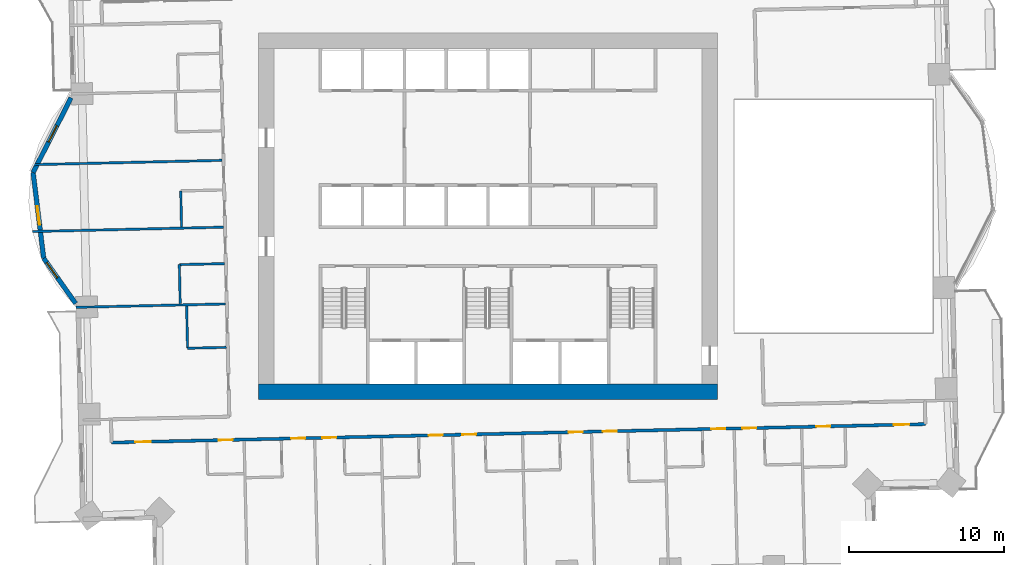
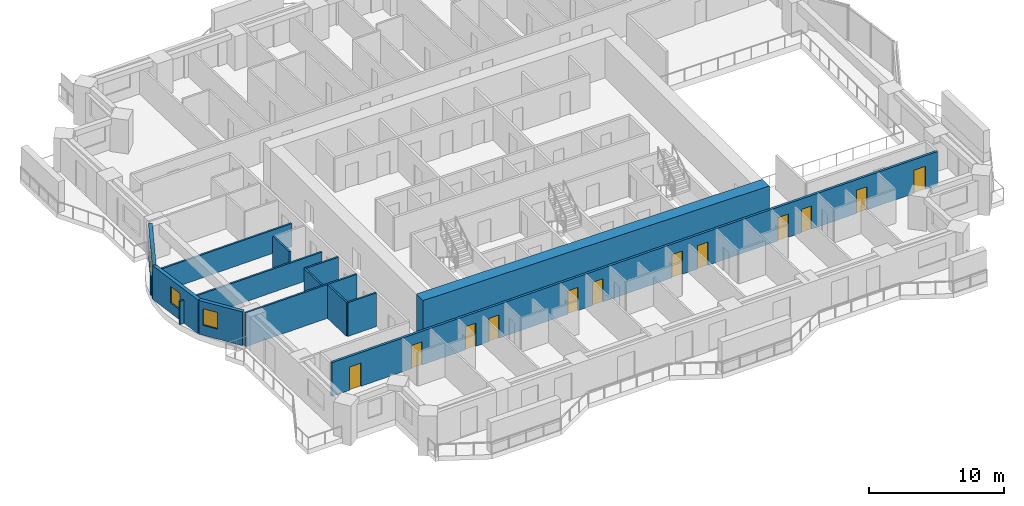
# One storey, part 7 of 17: 13 walls, 12 doors, 3 windows, 15 openings.
"""IFC4 building model written with IfcOpenShell, lengths in metres."""

import ifcopenshell
import ifcopenshell.guid

model = None  # the IFC model being written
_history = None  # IfcOwnerHistory: only IFC2X3 demands one
_inside = {}  # id of a spatial element -> (the spatial element, [elements in it])
_under = {}  # id of a project, library or spatial element -> (it, [spatial elements below it])
_declared = {}  # id of a project -> (the project, [libraries it declares])
_typed = {}  # id of a type object -> (the type object, [elements of that type])
_made_of = {}  # id of a material, layer set ... -> (it, [elements and type objects made of it])


def new_model(schema):
    """Start an empty IFC model of exactly this schema.

    Asked for "IFC4X3", IfcOpenShell would pick the latest addendum, in which some entities
    have other attributes; the version numbers below select the first issue.
    IFC2X3 requires an IfcOwnerHistory on every rooted entity: one is made here for all.
    """
    global model, _history
    if schema == "IFC4X3":
        model = ifcopenshell.file(schema_version=(4, 3, 0, 0))
    else:
        model = ifcopenshell.file(schema=schema)
    _inside.clear()
    _under.clear()
    _declared.clear()
    _typed.clear()
    _made_of.clear()
    _history = None
    if model.schema == "IFC2X3":
        org = make("IfcOrganization", Name="unknown")
        user = make(
            "IfcPersonAndOrganization",
            ThePerson=make("IfcPerson", FamilyName="unknown"),
            TheOrganization=org,
        )
        app = make(
            "IfcApplication",
            ApplicationDeveloper=org,
            Version="unknown",
            ApplicationFullName="unknown",
            ApplicationIdentifier="unknown",
        )
        _history = make(
            "IfcOwnerHistory",
            OwningUser=user,
            OwningApplication=app,
            ChangeAction="ADDED",
            CreationDate=0,
        )
    return model


def make(cls, **values):
    """One entity of the class cls with the attributes given. An attribute that is None is left unset."""
    return model.create_entity(
        cls, **{name: value for name, value in values.items() if value is not None}
    )


def rooted(cls, **values):
    """An entity with a GlobalId (a new one), such as an element, a storey or a relation."""
    return make(cls, GlobalId=ifcopenshell.guid.new(), OwnerHistory=_history, **values)


def si_unit(unit_type, name, prefix=None):
    """IfcSIUnit, for example si_unit("LENGTHUNIT", "METRE", prefix="MILLI")."""
    return make("IfcSIUnit", UnitType=unit_type, Prefix=prefix, Name=name)


def assignment(units):
    """IfcUnitAssignment: the units of a project."""
    return None if units is None else make("IfcUnitAssignment", Units=units)


def point(xyz):
    """IfcCartesianPoint."""
    return None if xyz is None else make("IfcCartesianPoint", Coordinates=xyz)


def direction(xyz):
    """IfcDirection."""
    return None if xyz is None else make("IfcDirection", DirectionRatios=xyz)


def frame(location, z_axis=None, x_axis=None):
    """IfcAxis2Placement3D, a coordinate frame: its origin and axes. An axis left out is left unset."""
    return make(
        "IfcAxis2Placement3D",
        Location=point(location),
        Axis=direction(z_axis),
        RefDirection=direction(x_axis),
    )


def frame_2d(location, x_axis=None):
    """IfcAxis2Placement2D, a coordinate frame in the plane: its origin and x axis."""
    return make(
        "IfcAxis2Placement2D", Location=point(location), RefDirection=direction(x_axis)
    )


def origin():
    """The frame at (0, 0, 0) with its axes left unset."""
    return frame((0.0, 0.0, 0.0))


def place(relative_to, where):
    """IfcLocalPlacement: puts the frame where relative to a parent placement (None: the world)."""
    return make(
        "IfcLocalPlacement", PlacementRelTo=relative_to, RelativePlacement=where
    )


def context(
    kind, dimensions, precision=None, world=None, true_north=None, identifier=None
):
    """IfcGeometricRepresentationContext, for example the 3D "Model" context."""
    return make(
        "IfcGeometricRepresentationContext",
        ContextIdentifier=identifier,
        ContextType=kind,
        CoordinateSpaceDimension=dimensions,
        Precision=precision,
        WorldCoordinateSystem=world,
        TrueNorth=true_north,
    )


def subcontext(parent, identifier, kind, view, scale=None):
    """IfcGeometricRepresentationSubContext, for example "Body" below "Model"."""
    return make(
        "IfcGeometricRepresentationSubContext",
        ContextIdentifier=identifier,
        ContextType=kind,
        ParentContext=parent,
        TargetScale=scale,
        TargetView=view,
    )


def project(units=None, contexts=None):
    """IfcProject with its units and contexts."""
    return rooted(
        "IfcProject",
        Name="project",
        RepresentationContexts=contexts,
        UnitsInContext=assignment(units),
    )


def spatial(cls, under=None, at=None, **own):
    """A site, building, storey or space (cls), placed at a placement, below another one or the project."""
    s = rooted(cls, ObjectPlacement=at, **own)
    if under is not None:
        _under.setdefault(under.id(), (under, []))[1].append(s)
    return s


def profile(cls, at=None, kind="AREA", **sizes):
    """A parametric profile (cls). Its sizes go by their IFC names, for example OverallWidth=200.0."""
    return make(cls, ProfileType=kind, Position=at, **sizes)


def rectangle(**sizes):
    """IfcRectangleProfileDef."""
    return profile("IfcRectangleProfileDef", **sizes)


def extrude(swept, where, along, depth):
    """IfcExtrudedAreaSolid: the profile swept, set in the frame where, extruded along a direction by depth."""
    return make(
        "IfcExtrudedAreaSolid",
        SweptArea=swept,
        Position=where,
        ExtrudedDirection=direction(along),
        Depth=depth,
    )


def shape(context_of_items, identifier, shape_type, items):
    """IfcShapeRepresentation: the items that make up one representation, for example the "Body"."""
    return make(
        "IfcShapeRepresentation",
        ContextOfItems=context_of_items,
        RepresentationIdentifier=identifier,
        RepresentationType=shape_type,
        Items=items,
    )


def material(Name=None, Category=None):
    """IfcMaterial."""
    return make("IfcMaterial", Name=Name, Category=Category)


def layer(
    of_material, thickness, ventilated=None, Name=None, Category=None, Priority=None
):
    """IfcMaterialLayer: one layer of a wall or slab, of a material (None: an air gap)."""
    return make(
        "IfcMaterialLayer",
        Material=of_material,
        LayerThickness=thickness,
        IsVentilated=ventilated,
        Name=Name,
        Category=Category,
        Priority=Priority,
    )


def layer_set(layers, Name=None):
    """IfcMaterialLayerSet."""
    return make("IfcMaterialLayerSet", MaterialLayers=layers, LayerSetName=Name)


def made_of(thing, what):
    """Note that an element or type object is made of a material, layer set ...; save() writes the relation."""
    if what is not None:
        _made_of.setdefault(what.id(), (what, []))[1].append(thing)
    return thing


def type_object(cls, material=None, **own):
    """A type object (cls), such as IfcWallType, which elements share."""
    return made_of(rooted(cls, **own), material)


def element(
    cls,
    number,
    at=None,
    inside=None,
    cuts=None,
    type_object=None,
    material=None,
    context=None,
    identifier="Body",
    shape_type=None,
    held_by="IfcProductDefinitionShape",
    body=None,
    shapes=None,
    **own,
):
    """One element of the class cls, such as IfcWall. Its Tag is "e" and its number.

    at: its placement. inside: the storey or other place that contains it. cuts: it is an
    opening in that element (IfcRelVoidsElement). A single representation is given by context,
    identifier, shape_type and body (its items); several are given by shapes. held_by: the class
    of the entity that holds the representations. save() writes the other relations.
    """
    e = rooted(cls, Tag="e%d" % number, ObjectPlacement=at, **own)
    if body is not None:
        shapes = [shape(context, identifier, shape_type, body)]
    if shapes is not None:
        e.Representation = make(held_by, Representations=shapes)
    if inside is not None:
        _inside.setdefault(inside.id(), (inside, []))[1].append(e)
    if cuts is not None:
        rooted(
            "IfcRelVoidsElement", RelatingBuildingElement=cuts, RelatedOpeningElement=e
        )
    if type_object is not None:
        _typed.setdefault(type_object.id(), (type_object, []))[1].append(e)
    return made_of(e, material)


def fill(opening, filler):
    """IfcRelFillsElement: the door or window that sits in an opening."""
    return rooted(
        "IfcRelFillsElement",
        RelatingOpeningElement=opening,
        RelatedBuildingElement=filler,
    )


def aggregate(whole, parts):
    """IfcRelAggregates: a whole, such as a stair, and the parts it consists of."""
    return rooted("IfcRelAggregates", RelatingObject=whole, RelatedObjects=parts)


def save(model, path):
    """Write the relations noted so far, then the file.

    IfcRelAggregates (storeys below a building ...), IfcRelContainedInSpatialStructure (elements
    in a storey), IfcRelDefinesByType, IfcRelAssociatesMaterial and IfcRelDeclares: one each for
    every whole, place, type object, material and project.
    """
    for whole, parts in _under.values():
        aggregate(whole, parts)
    for where, things in _inside.values():
        rooted(
            "IfcRelContainedInSpatialStructure",
            RelatedElements=things,
            RelatingStructure=where,
        )
    for kind, things in _typed.values():
        rooted("IfcRelDefinesByType", RelatedObjects=things, RelatingType=kind)
    for what, things in _made_of.values():
        rooted("IfcRelAssociatesMaterial", RelatedObjects=things, RelatingMaterial=what)
    for by, libraries in _declared.values():
        rooted("IfcRelDeclares", RelatingContext=by, RelatedDefinitions=libraries)
    model.write(path)


model = new_model("IFC4")

# Units and contexts
model_context = context("Model", 3, precision=1e-05, world=origin(), true_north=direction((0.0, 1.0)))
body_context = subcontext(model_context, "Body", "Model", "MODEL_VIEW")
ifc_project = project(units=[si_unit("LENGTHUNIT", "METRE"), si_unit("AREAUNIT", "SQUARE_METRE"), si_unit("VOLUMEUNIT", "CUBIC_METRE"), si_unit("PLANEANGLEUNIT", "RADIAN"), si_unit("MASSUNIT", "GRAM", prefix="KILO")], contexts=[model_context])

# Site, building, storey
site_placement = place(None, origin())
site = spatial("IfcSite", under=ifc_project, at=site_placement, CompositionType="ELEMENT")
building_placement = place(site_placement, origin())
building = spatial("IfcBuilding", under=site, at=building_placement, Name="Mangrove Gate Tower", CompositionType="ELEMENT")
storey_placement = place(building_placement, frame((0.0, 0.0, 93.699951171875)))
storey = spatial("IfcBuildingStorey", under=building, at=storey_placement, Name="L23", CompositionType="ELEMENT", Elevation=93.699951171875)

# Wall
ifc_material_1 = material(Name="Concrete C70/85", Category="concrete")
ifc_layer_1 = layer(ifc_material_1, 1.0)
ifc_layer_set_1 = layer_set([ifc_layer_1], Name="Core wall 1000 C70/85")
wall_type_1 = type_object("IfcWallType", Name="Core wall 1000 C70/85", PredefinedType="SHEAR", material=ifc_layer_set_1)
wall_1_placement = place(storey_placement, frame((-14.800048828125, -11.300048828125, 0.0), z_axis=(0.0, 0.0, 1.0), x_axis=(1.0, 0.0, 0.0)))
element("IfcWall", 1, at=wall_1_placement, inside=storey, type_object=wall_type_1, Name="WALL-L23-CORE-1", PredefinedType="SHEAR", context=body_context, shape_type="SweptSolid", body=[
    extrude(rectangle(XDim=29.60009765625, YDim=1.0, at=frame_2d((14.800048828125, 0.0))), origin(), (0.0, 0.0, 1.0), 3.60009765625),
])

# Wall, openings, doors
ifc_material_2 = material(Name="Gypsum board on steel stud, EI 60", Category="steel")
ifc_layer_2 = layer(ifc_material_2, 0.199951171875)
ifc_layer_set_2 = layer_set([ifc_layer_2], Name="Corridor wall EI 60")
wall_type_2 = type_object("IfcWallType", Name="Corridor wall EI 60", PredefinedType="PARTITIONING", material=ifc_layer_set_2)
wall_2_placement = place(storey_placement, frame((-24.27392578125, -14.591064453125, 0.0), z_axis=(0.0, 0.0, 1.0), x_axis=(0.999742718753, 0.022682510909, 0.0)))
wall_2 = element("IfcWall", 2, at=wall_2_placement, inside=storey, type_object=wall_type_2, Name="WALL-L23-030", PredefinedType="PARTITIONING", context=body_context, shape_type="SweptSolid", body=[
    extrude(rectangle(XDim=52.471435546875, YDim=0.199951171875, at=frame_2d((26.23583984375, 0.0))), origin(), (0.0, 0.0, 1.0), 3.050048828125),
])
opening_1_placement = place(wall_2_placement, frame((1.52490234375, 0.0, 0.0)))
opening_1 = element("IfcOpeningElement", 3, at=opening_1_placement, cuts=wall_2, Name="Opening AD", PredefinedType="OPENING", context=body_context, shape_type="SweptSolid", body=[
    extrude(rectangle(XDim=1.0, YDim=2.10009765625, at=frame_2d((0.5, 1.050048828125))), frame((0.0, 0.10986328125, 0.0), z_axis=(0.0, -1.0, 0.0), x_axis=(1.0, 0.0, 0.0)), (0.0, 0.0, 1.0), 0.219970703125),
])
opening_2_placement = place(wall_2_placement, frame((6.89990234375, 0.0, 0.0)))
opening_2 = element("IfcOpeningElement", 4, at=opening_2_placement, cuts=wall_2, Name="Opening SD", PredefinedType="OPENING", context=body_context, shape_type="SweptSolid", body=[
    extrude(rectangle(XDim=0.89990234375, YDim=2.10009765625, at=frame_2d((0.449951171875, 1.050048828125))), frame((0.0, 0.10986328125, 0.0), z_axis=(0.0, -1.0, 0.0), x_axis=(1.0, 0.0, 0.0)), (0.0, 0.0, 1.0), 0.219970703125),
])
opening_3_placement = place(wall_2_placement, frame((11.574951171875, 0.0, 0.0)))
opening_3 = element("IfcOpeningElement", 5, at=opening_3_placement, cuts=wall_2, Name="Opening BD", PredefinedType="OPENING", context=body_context, shape_type="SweptSolid", body=[
    extrude(rectangle(XDim=0.89990234375, YDim=2.10009765625, at=frame_2d((0.449951171875, 1.050048828125))), frame((0.0, 0.10986328125, 0.0), z_axis=(0.0, -1.0, 0.0), x_axis=(1.0, 0.0, 0.0)), (0.0, 0.0, 1.0), 0.219970703125),
])
opening_4_placement = place(wall_2_placement, frame((13.60009765625, 0.0, 0.0)))
opening_4 = element("IfcOpeningElement", 6, at=opening_4_placement, cuts=wall_2, Name="Opening BD", PredefinedType="OPENING", context=body_context, shape_type="SweptSolid", body=[
    extrude(rectangle(XDim=0.89990234375, YDim=2.10009765625, at=frame_2d((0.449951171875, 1.050048828125))), frame((0.0, 0.10986328125, 0.0), z_axis=(0.0, -1.0, 0.0), x_axis=(1.0, 0.0, 0.0)), (0.0, 0.0, 1.0), 0.219970703125),
])
opening_5_placement = place(wall_2_placement, frame((20.449951171875, 0.0, 0.0)))
opening_5 = element("IfcOpeningElement", 7, at=opening_5_placement, cuts=wall_2, Name="Opening BD", PredefinedType="OPENING", context=body_context, shape_type="SweptSolid", body=[
    extrude(rectangle(XDim=0.89990234375, YDim=2.10009765625, at=frame_2d((0.449951171875, 1.050048828125))), frame((0.0, 0.10986328125, 0.0), z_axis=(0.0, -1.0, 0.0), x_axis=(1.0, 0.0, 0.0)), (0.0, 0.0, 1.0), 0.219970703125),
])
opening_6_placement = place(wall_2_placement, frame((22.60009765625, 0.0, 0.0)))
opening_6 = element("IfcOpeningElement", 8, at=opening_6_placement, cuts=wall_2, Name="Opening BD", PredefinedType="OPENING", context=body_context, shape_type="SweptSolid", body=[
    extrude(rectangle(XDim=0.89990234375, YDim=2.10009765625, at=frame_2d((0.449951171875, 1.050048828125))), frame((0.0, 0.10986328125, 0.0), z_axis=(0.0, -1.0, 0.0), x_axis=(1.0, 0.0, 0.0)), (0.0, 0.0, 1.0), 0.219970703125),
])
opening_7_placement = place(wall_2_placement, frame((29.47509765625, 0.0, 0.0)))
opening_7 = element("IfcOpeningElement", 9, at=opening_7_placement, cuts=wall_2, Name="Opening BD", PredefinedType="OPENING", context=body_context, shape_type="SweptSolid", body=[
    extrude(rectangle(XDim=0.89990234375, YDim=2.10009765625, at=frame_2d((0.449951171875, 1.050048828125))), frame((0.0, 0.10986328125, 0.0), z_axis=(0.0, -1.0, 0.0), x_axis=(1.0, 0.0, 0.0)), (0.0, 0.0, 1.0), 0.219970703125),
])
opening_8_placement = place(wall_2_placement, frame((31.675048828125, 0.0, 0.0)))
opening_8 = element("IfcOpeningElement", 10, at=opening_8_placement, cuts=wall_2, Name="Opening BD", PredefinedType="OPENING", context=body_context, shape_type="SweptSolid", body=[
    extrude(rectangle(XDim=0.89990234375, YDim=2.10009765625, at=frame_2d((0.449951171875, 1.050048828125))), frame((0.0, 0.10986328125, 0.0), z_axis=(0.0, -1.0, 0.0), x_axis=(1.0, 0.0, 0.0)), (0.0, 0.0, 1.0), 0.219970703125),
])
opening_9_placement = place(wall_2_placement, frame((38.675048828125, 0.0, 0.0)))
opening_9 = element("IfcOpeningElement", 11, at=opening_9_placement, cuts=wall_2, Name="Opening BD", PredefinedType="OPENING", context=body_context, shape_type="SweptSolid", body=[
    extrude(rectangle(XDim=0.89990234375, YDim=2.10009765625, at=frame_2d((0.449951171875, 1.050048828125))), frame((0.0, 0.10986328125, 0.0), z_axis=(0.0, -1.0, 0.0), x_axis=(1.0, 0.0, 0.0)), (0.0, 0.0, 1.0), 0.219970703125),
])
opening_10_placement = place(wall_2_placement, frame((40.675048828125, 0.0, 0.0)))
opening_10 = element("IfcOpeningElement", 12, at=opening_10_placement, cuts=wall_2, Name="Opening BD", PredefinedType="OPENING", context=body_context, shape_type="SweptSolid", body=[
    extrude(rectangle(XDim=0.89990234375, YDim=2.10009765625, at=frame_2d((0.449951171875, 1.050048828125))), frame((0.0, 0.10986328125, 0.0), z_axis=(0.0, -1.0, 0.0), x_axis=(1.0, 0.0, 0.0)), (0.0, 0.0, 1.0), 0.219970703125),
])
opening_11_placement = place(wall_2_placement, frame((50.43603515625, 0.0, 0.0)))
opening_11 = element("IfcOpeningElement", 13, at=opening_11_placement, cuts=wall_2, Name="Opening AD", PredefinedType="OPENING", context=body_context, shape_type="SweptSolid", body=[
    extrude(rectangle(XDim=1.0, YDim=2.10009765625, at=frame_2d((0.5, 1.050048828125))), frame((0.0, 0.10986328125, 0.0), z_axis=(0.0, -1.0, 0.0), x_axis=(1.0, 0.0, 0.0)), (0.0, 0.0, 1.0), 0.219970703125),
])
opening_12_placement = place(wall_2_placement, frame((45.449951171875, 0.0, 0.0)))
opening_12 = element("IfcOpeningElement", 14, at=opening_12_placement, cuts=wall_2, Name="Opening SD", PredefinedType="OPENING", context=body_context, shape_type="SweptSolid", body=[
    extrude(rectangle(XDim=0.89990234375, YDim=2.10009765625, at=frame_2d((0.449951171875, 1.050048828125))), frame((0.0, 0.10986328125, 0.0), z_axis=(0.0, -1.0, 0.0), x_axis=(1.0, 0.0, 0.0)), (0.0, 0.0, 1.0), 0.219970703125),
])
ifc_material_3 = material(Name="Timber door leaf", Category="wood")
door_type_1 = type_object("IfcDoorType", Name="Amenity door 1000", OperationType="SINGLE_SWING_LEFT", PredefinedType="DOOR", material=ifc_material_3)
door_1_placement = place(opening_1_placement, origin())
door_1 = element("IfcDoor", 15, at=door_1_placement, inside=storey, type_object=door_type_1, Name="DOOR-L23-LNG-c1a", OperationType="SINGLE_SWING_LEFT", OverallHeight=2.10009765625, OverallWidth=1.0, PredefinedType="DOOR", context=body_context, shape_type="SweptSolid", body=[
    extrude(rectangle(XDim=1.0, YDim=2.10009765625, at=frame_2d((0.5, 1.050048828125))), frame((0.0, 0.02490234375, 0.0), z_axis=(0.0, -1.0, 0.0), x_axis=(1.0, 0.0, 0.0)), (0.0, 0.0, 1.0), 0.050048828125),
])
fill(opening_1, door_1)
door_2_placement = place(opening_11_placement, origin())
door_2 = element("IfcDoor", 16, at=door_2_placement, inside=storey, type_object=door_type_1, Name="DOOR-L23-STU-c3a", OperationType="SINGLE_SWING_RIGHT", OverallHeight=2.10009765625, OverallWidth=1.0, PredefinedType="DOOR", context=body_context, shape_type="SweptSolid", body=[
    extrude(rectangle(XDim=1.0, YDim=2.10009765625, at=frame_2d((0.5, 1.050048828125))), frame((0.0, 0.02490234375, 0.0), z_axis=(0.0, -1.0, 0.0), x_axis=(1.0, 0.0, 0.0)), (0.0, 0.0, 1.0), 0.050048828125),
])
fill(opening_11, door_2)
ifc_material_4 = material(Name="Timber door leaf", Category="wood")
door_type_2 = type_object("IfcDoorType", Name="Bedroom door 900", OperationType="SINGLE_SWING_LEFT", PredefinedType="DOOR", material=ifc_material_4)
door_3_placement = place(opening_3_placement, origin())
door_3 = element("IfcDoor", 17, at=door_3_placement, inside=storey, type_object=door_type_2, Name="DOOR-L23-BED-c101", OperationType="SINGLE_SWING_LEFT", OverallHeight=2.10009765625, OverallWidth=0.89990234375, PredefinedType="DOOR", context=body_context, shape_type="SweptSolid", body=[
    extrude(rectangle(XDim=0.89990234375, YDim=2.10009765625, at=frame_2d((0.449951171875, 1.050048828125))), frame((0.0, 0.02490234375, 0.0), z_axis=(0.0, -1.0, 0.0), x_axis=(1.0, 0.0, 0.0)), (0.0, 0.0, 1.0), 0.050048828125),
])
fill(opening_3, door_3)
door_4_placement = place(opening_4_placement, origin())
door_4 = element("IfcDoor", 18, at=door_4_placement, inside=storey, type_object=door_type_2, Name="DOOR-L23-BED-c102", OperationType="SINGLE_SWING_RIGHT", OverallHeight=2.10009765625, OverallWidth=0.89990234375, PredefinedType="DOOR", context=body_context, shape_type="SweptSolid", body=[
    extrude(rectangle(XDim=0.89990234375, YDim=2.10009765625, at=frame_2d((0.449951171875, 1.050048828125))), frame((0.0, 0.02490234375, 0.0), z_axis=(0.0, -1.0, 0.0), x_axis=(1.0, 0.0, 0.0)), (0.0, 0.0, 1.0), 0.050048828125),
])
fill(opening_4, door_4)
door_5_placement = place(opening_5_placement, origin())
door_5 = element("IfcDoor", 19, at=door_5_placement, inside=storey, type_object=door_type_2, Name="DOOR-L23-BED-c103", OperationType="SINGLE_SWING_LEFT", OverallHeight=2.10009765625, OverallWidth=0.89990234375, PredefinedType="DOOR", context=body_context, shape_type="SweptSolid", body=[
    extrude(rectangle(XDim=0.89990234375, YDim=2.10009765625, at=frame_2d((0.449951171875, 1.050048828125))), frame((0.0, 0.02490234375, 0.0), z_axis=(0.0, -1.0, 0.0), x_axis=(1.0, 0.0, 0.0)), (0.0, 0.0, 1.0), 0.050048828125),
])
fill(opening_5, door_5)
door_6_placement = place(opening_6_placement, origin())
door_6 = element("IfcDoor", 20, at=door_6_placement, inside=storey, type_object=door_type_2, Name="DOOR-L23-BED-c104", OperationType="SINGLE_SWING_RIGHT", OverallHeight=2.10009765625, OverallWidth=0.89990234375, PredefinedType="DOOR", context=body_context, shape_type="SweptSolid", body=[
    extrude(rectangle(XDim=0.89990234375, YDim=2.10009765625, at=frame_2d((0.449951171875, 1.050048828125))), frame((0.0, 0.02490234375, 0.0), z_axis=(0.0, -1.0, 0.0), x_axis=(1.0, 0.0, 0.0)), (0.0, 0.0, 1.0), 0.050048828125),
])
fill(opening_6, door_6)
door_7_placement = place(opening_7_placement, origin())
door_7 = element("IfcDoor", 21, at=door_7_placement, inside=storey, type_object=door_type_2, Name="DOOR-L23-BED-c205", OperationType="SINGLE_SWING_LEFT", OverallHeight=2.10009765625, OverallWidth=0.89990234375, PredefinedType="DOOR", context=body_context, shape_type="SweptSolid", body=[
    extrude(rectangle(XDim=0.89990234375, YDim=2.10009765625, at=frame_2d((0.449951171875, 1.050048828125))), frame((0.0, 0.02490234375, 0.0), z_axis=(0.0, -1.0, 0.0), x_axis=(1.0, 0.0, 0.0)), (0.0, 0.0, 1.0), 0.050048828125),
])
fill(opening_7, door_7)
door_8_placement = place(opening_8_placement, origin())
door_8 = element("IfcDoor", 22, at=door_8_placement, inside=storey, type_object=door_type_2, Name="DOOR-L23-BED-c206", OperationType="SINGLE_SWING_RIGHT", OverallHeight=2.10009765625, OverallWidth=0.89990234375, PredefinedType="DOOR", context=body_context, shape_type="SweptSolid", body=[
    extrude(rectangle(XDim=0.89990234375, YDim=2.10009765625, at=frame_2d((0.449951171875, 1.050048828125))), frame((0.0, 0.02490234375, 0.0), z_axis=(0.0, -1.0, 0.0), x_axis=(1.0, 0.0, 0.0)), (0.0, 0.0, 1.0), 0.050048828125),
])
fill(opening_8, door_8)
door_9_placement = place(opening_9_placement, origin())
door_9 = element("IfcDoor", 23, at=door_9_placement, inside=storey, type_object=door_type_2, Name="DOOR-L23-BED-c207", OperationType="SINGLE_SWING_LEFT", OverallHeight=2.10009765625, OverallWidth=0.89990234375, PredefinedType="DOOR", context=body_context, shape_type="SweptSolid", body=[
    extrude(rectangle(XDim=0.89990234375, YDim=2.10009765625, at=frame_2d((0.449951171875, 1.050048828125))), frame((0.0, 0.02490234375, 0.0), z_axis=(0.0, -1.0, 0.0), x_axis=(1.0, 0.0, 0.0)), (0.0, 0.0, 1.0), 0.050048828125),
])
fill(opening_9, door_9)
door_10_placement = place(opening_10_placement, origin())
door_10 = element("IfcDoor", 24, at=door_10_placement, inside=storey, type_object=door_type_2, Name="DOOR-L23-BED-c308", OperationType="SINGLE_SWING_RIGHT", OverallHeight=2.10009765625, OverallWidth=0.89990234375, PredefinedType="DOOR", context=body_context, shape_type="SweptSolid", body=[
    extrude(rectangle(XDim=0.89990234375, YDim=2.10009765625, at=frame_2d((0.449951171875, 1.050048828125))), frame((0.0, 0.02490234375, 0.0), z_axis=(0.0, -1.0, 0.0), x_axis=(1.0, 0.0, 0.0)), (0.0, 0.0, 1.0), 0.050048828125),
])
fill(opening_10, door_10)
ifc_material_5 = material(Name="Timber door leaf", Category="wood")
door_type_3 = type_object("IfcDoorType", Name="Service room door 900", OperationType="SINGLE_SWING_LEFT", PredefinedType="DOOR", material=ifc_material_5)
door_11_placement = place(opening_2_placement, origin())
door_11 = element("IfcDoor", 25, at=door_11_placement, inside=storey, type_object=door_type_3, Name="DOOR-L23-LIN-c1a", OperationType="SINGLE_SWING_LEFT", OverallHeight=2.10009765625, OverallWidth=0.89990234375, PredefinedType="DOOR", context=body_context, shape_type="SweptSolid", body=[
    extrude(rectangle(XDim=0.89990234375, YDim=2.10009765625, at=frame_2d((0.449951171875, 1.050048828125))), frame((0.0, 0.02490234375, 0.0), z_axis=(0.0, -1.0, 0.0), x_axis=(1.0, 0.0, 0.0)), (0.0, 0.0, 1.0), 0.050048828125),
])
fill(opening_2, door_11)
door_12_placement = place(opening_12_placement, origin())
door_12 = element("IfcDoor", 26, at=door_12_placement, inside=storey, type_object=door_type_3, Name="DOOR-L23-LDY-c3a", OperationType="SINGLE_SWING_RIGHT", OverallHeight=2.10009765625, OverallWidth=0.89990234375, PredefinedType="DOOR", context=body_context, shape_type="SweptSolid", body=[
    extrude(rectangle(XDim=0.89990234375, YDim=2.10009765625, at=frame_2d((0.449951171875, 1.050048828125))), frame((0.0, 0.02490234375, 0.0), z_axis=(0.0, -1.0, 0.0), x_axis=(1.0, 0.0, 0.0)), (0.0, 0.0, 1.0), 0.050048828125),
])
fill(opening_12, door_12)

# Wall, opening, window
ifc_material_6 = material(Name="Limestone", Category="masonry")
ifc_layer_3 = layer(ifc_material_6, 0.0400390625, Name="Limestone cladding")
ifc_material_7 = material(Name="Ventilated air gap")
ifc_layer_4 = layer(ifc_material_7, 0.0400390625, Name="Ventilated cavity")
ifc_material_8 = material(Name="Mineral wool insulation")
ifc_layer_5 = layer(ifc_material_8, 0.06005859375, Name="Insulation")
ifc_material_9 = material(Name="Breather membrane")
ifc_layer_6 = layer(ifc_material_9, 0.001953125, Name="Breather membrane")
ifc_material_10 = material(Name="Concrete C20/25 blockwork", Category="masonry")
ifc_layer_7 = layer(ifc_material_10, 0.14990234375, Name="Blockwork backing wall")
ifc_material_11 = material(Name="Gypsum plaster")
ifc_layer_8 = layer(ifc_material_11, 0.008056640625, Name="Internal plaster")
ifc_layer_set_3 = layer_set([ifc_layer_3, ifc_layer_4, ifc_layer_5, ifc_layer_6, ifc_layer_7, ifc_layer_8], Name="External wall 300 limestone cladding")
wall_type_3 = type_object("IfcWallType", Name="External wall 300 limestone cladding", PredefinedType="SOLIDWALL", material=ifc_layer_set_3)
wall_3_placement = place(storey_placement, frame((-26.888916015625, 7.635009765625, 0.0), z_axis=(0.0, 0.0, 1.0), x_axis=(-0.452633159278, -0.891696822425, 0.0)))
wall_3 = element("IfcWall", 27, at=wall_3_placement, inside=storey, type_object=wall_type_3, Name="WALL-L23-W9f1", PredefinedType="SOLIDWALL", context=body_context, shape_type="SweptSolid", body=[
    extrude(rectangle(XDim=5.3974609375, YDim=0.300048828125, at=frame_2d((2.69873046875, 0.0))), origin(), (0.0, 0.0, 1.0), 3.050048828125),
])
opening_13_placement = place(wall_3_placement, frame((2.007080078125, 0.0, 0.89990234375)))
opening_13 = element("IfcOpeningElement", 28, at=opening_13_placement, cuts=wall_3, Name="Opening W1", PredefinedType="OPENING", context=body_context, shape_type="SweptSolid", body=[
    extrude(rectangle(XDim=1.199951171875, YDim=1.5, at=frame_2d((0.60009765625, 0.75))), frame((0.0, 0.159912109375, 0.0), z_axis=(0.0, -1.0, 0.0), x_axis=(1.0, 0.0, 0.0)), (0.0, 0.0, 1.0), 0.320068359375),
])
ifc_material_12 = material(Name="Aluminium frame with double-glazed low-e glass", Category="aluminium")
window_type = type_object("IfcWindowType", Name="Side lite 1200x1500", PartitioningType="SINGLE_PANEL", PredefinedType="WINDOW", material=ifc_material_12)
window_1_placement = place(opening_13_placement, origin())
window_1 = element("IfcWindow", 29, at=window_1_placement, inside=storey, type_object=window_type, Name="WIN-L23-W9f1", OverallHeight=1.5, OverallWidth=1.199951171875, PartitioningType="SINGLE_PANEL", PredefinedType="WINDOW", context=body_context, shape_type="SweptSolid", body=[
    extrude(rectangle(XDim=1.199951171875, YDim=1.5, at=frame_2d((0.60009765625, 0.75))), frame((0.0, 0.030029296875, 0.0), z_axis=(0.0, -1.0, 0.0), x_axis=(1.0, 0.0, 0.0)), (0.0, 0.0, 1.0), 0.06005859375),
])
fill(opening_13, window_1)

wall_4_placement = place(storey_placement, frame((-29.33203125, 2.822021484375, 0.0), z_axis=(0.0, 0.0, 1.0), x_axis=(0.122206978992, -0.992504636909, 0.0)))
wall_4 = element("IfcWall", 30, at=wall_4_placement, inside=storey, type_object=wall_type_3, Name="WALL-L23-W9f2", PredefinedType="SOLIDWALL", context=body_context, shape_type="SweptSolid", body=[
    extrude(rectangle(XDim=5.57373046875, YDim=0.300048828125, at=frame_2d((2.786865234375, 0.0))), origin(), (0.0, 0.0, 1.0), 3.050048828125),
])
opening_14_placement = place(wall_4_placement, frame((2.18701171875, 0.0, 0.89990234375)))
opening_14 = element("IfcOpeningElement", 31, at=opening_14_placement, cuts=wall_4, Name="Opening W1", PredefinedType="OPENING", context=body_context, shape_type="SweptSolid", body=[
    extrude(rectangle(XDim=1.199951171875, YDim=1.5, at=frame_2d((0.60009765625, 0.75))), frame((0.0, 0.159912109375, 0.0), z_axis=(0.0, -1.0, 0.0), x_axis=(1.0, 0.0, 0.0)), (0.0, 0.0, 1.0), 0.320068359375),
])
window_2_placement = place(opening_14_placement, origin())
window_2 = element("IfcWindow", 32, at=window_2_placement, inside=storey, type_object=window_type, Name="WIN-L23-W9f2", OverallHeight=1.5, OverallWidth=1.199951171875, PartitioningType="SINGLE_PANEL", PredefinedType="WINDOW", context=body_context, shape_type="SweptSolid", body=[
    extrude(rectangle(XDim=1.199951171875, YDim=1.5, at=frame_2d((0.60009765625, 0.75))), frame((0.0, 0.030029296875, 0.0), z_axis=(0.0, -1.0, 0.0), x_axis=(1.0, 0.0, 0.0)), (0.0, 0.0, 1.0), 0.06005859375),
])
fill(opening_14, window_2)

wall_5_placement = place(storey_placement, frame((-28.65087890625, -2.7099609375, 0.0), z_axis=(0.0, 0.0, 1.0), x_axis=(0.577964171051, -0.816062140392, 0.0)))
wall_5 = element("IfcWall", 33, at=wall_5_placement, inside=storey, type_object=wall_type_3, Name="WALL-L23-W9f3", PredefinedType="SOLIDWALL", context=body_context, shape_type="SweptSolid", body=[
    extrude(rectangle(XDim=3.5673828125, YDim=0.300048828125, at=frame_2d((1.78369140625, 0.0))), origin(), (0.0, 0.0, 1.0), 3.050048828125),
])
opening_15_placement = place(wall_5_placement, frame((0.3369140625, 0.0, 0.89990234375)))
opening_15 = element("IfcOpeningElement", 34, at=opening_15_placement, cuts=wall_5, Name="Opening W1", PredefinedType="OPENING", context=body_context, shape_type="SweptSolid", body=[
    extrude(rectangle(XDim=1.199951171875, YDim=1.5, at=frame_2d((0.60009765625, 0.75))), frame((0.0, 0.159912109375, 0.0), z_axis=(0.0, -1.0, 0.0), x_axis=(1.0, 0.0, 0.0)), (0.0, 0.0, 1.0), 0.320068359375),
])
window_3_placement = place(opening_15_placement, origin())
window_3 = element("IfcWindow", 35, at=window_3_placement, inside=storey, type_object=window_type, Name="WIN-L23-W9f3", OverallHeight=1.5, OverallWidth=1.199951171875, PartitioningType="SINGLE_PANEL", PredefinedType="WINDOW", context=body_context, shape_type="SweptSolid", body=[
    extrude(rectangle(XDim=1.199951171875, YDim=1.5, at=frame_2d((0.60009765625, 0.75))), frame((0.0, 0.030029296875, 0.0), z_axis=(0.0, -1.0, 0.0), x_axis=(1.0, 0.0, 0.0)), (0.0, 0.0, 1.0), 0.06005859375),
])
fill(opening_15, window_3)

# Walls
ifc_material_13 = material(Name="Gypsum board on steel stud, EI 60", Category="steel")
ifc_layer_9 = layer(ifc_material_13, 0.14990234375)
ifc_layer_set_4 = layer_set([ifc_layer_9], Name="Party wall 150 EI 60")
wall_type_4 = type_object("IfcWallType", Name="Party wall 150 EI 60", PredefinedType="PARTITIONING", material=ifc_layer_set_4)
wall_6_placement = place(storey_placement, frame((-19.3798828125, -8.509033203125, 0.0), z_axis=(0.0, 0.0, 1.0), x_axis=(0.999738750294, 0.02285675306, 0.0)))
element("IfcWall", 36, at=wall_6_placement, inside=storey, type_object=wall_type_4, Name="WALL-L23-038", PredefinedType="PARTITIONING", context=body_context, shape_type="SweptSolid", body=[
    extrude(rectangle(XDim=2.49951171875, YDim=0.14990234375, at=frame_2d((1.249755859375, 0.0))), origin(), (0.0, 0.0, 1.0), 3.050048828125),
])
wall_7_placement = place(storey_placement, frame((-19.375, -8.5029296875, 0.0), z_axis=(0.0, 0.0, 1.0), x_axis=(-0.022760079124, 0.999740955847, 0.0)))
element("IfcWall", 37, at=wall_7_placement, inside=storey, type_object=wall_type_4, Name="WALL-L23-039", PredefinedType="PARTITIONING", context=body_context, shape_type="SweptSolid", body=[
    extrude(rectangle(XDim=2.724609375, YDim=0.14990234375, at=frame_2d((1.3623046875, 0.0))), origin(), (0.0, 0.0, 1.0), 3.050048828125),
])
wall_8_placement = place(storey_placement, frame((-26.572998046875, -5.87109375, 0.0), z_axis=(0.0, 0.0, 1.0), x_axis=(0.999743768709, 0.022636186244, 0.0)))
element("IfcWall", 38, at=wall_8_placement, inside=storey, type_object=wall_type_4, Name="WALL-L23-040", PredefinedType="PARTITIONING", context=body_context, shape_type="SweptSolid", body=[
    extrude(rectangle(XDim=9.63134765625, YDim=0.14990234375, at=frame_2d((4.815673828125, 0.0))), origin(), (0.0, 0.0, 1.0), 3.050048828125),
])
wall_9_placement = place(storey_placement, frame((-19.85009765625, -5.638916015625, 0.0), z_axis=(0.0, 0.0, 1.0), x_axis=(-0.022523775833, 0.999746307581, 0.0)))
element("IfcWall", 39, at=wall_9_placement, inside=storey, type_object=wall_type_4, Name="WALL-L23-041", PredefinedType="PARTITIONING", context=body_context, shape_type="SweptSolid", body=[
    extrude(rectangle(XDim=2.525634765625, YDim=0.14990234375, at=frame_2d((1.2626953125, 0.0))), origin(), (0.0, 0.0, 1.0), 3.050048828125),
])
wall_10_placement = place(storey_placement, frame((-19.902099609375, -3.118896484375, 0.0), z_axis=(0.0, 0.0, 1.0), x_axis=(0.999741618182, 0.022730967319, 0.0)))
element("IfcWall", 40, at=wall_10_placement, inside=storey, type_object=wall_type_4, Name="WALL-L23-042", PredefinedType="PARTITIONING", context=body_context, shape_type="SweptSolid", body=[
    extrude(rectangle(XDim=2.89990234375, YDim=0.14990234375, at=frame_2d((1.449951171875, 0.0))), origin(), (0.0, 0.0, 1.0), 3.050048828125),
])
wall_11_placement = place(storey_placement, frame((-29.385986328125, -0.98388671875, 0.0), z_axis=(0.0, 0.0, 1.0), x_axis=(0.999742652464, 0.022685432436, 0.0)))
element("IfcWall", 41, at=wall_11_placement, inside=storey, type_object=wall_type_4, Name="WALL-L23-043", PredefinedType="PARTITIONING", context=body_context, shape_type="SweptSolid", body=[
    extrude(rectangle(XDim=12.333251953125, YDim=0.14990234375, at=frame_2d((6.16650390625, 0.0))), origin(), (0.0, 0.0, 1.0), 2.10009765625),
])
wall_12_placement = place(storey_placement, frame((-19.762939453125, -0.68505859375, 0.0), z_axis=(0.0, 0.0, 1.0), x_axis=(-0.022370700241, 0.999749744571, 0.0)))
element("IfcWall", 42, at=wall_12_placement, inside=storey, type_object=wall_type_4, Name="WALL-L23-044", PredefinedType="PARTITIONING", context=body_context, shape_type="SweptSolid", body=[
    extrude(rectangle(XDim=2.324462890625, YDim=0.14990234375, at=frame_2d((1.162109375, 0.0))), origin(), (0.0, 0.0, 1.0), 3.050048828125),
])
wall_13_placement = place(storey_placement, frame((-29.344970703125, 3.327880859375, 0.0), z_axis=(0.0, 0.0, 1.0), x_axis=(0.999741773524, 0.022724134116, 0.0)))
element("IfcWall", 43, at=wall_13_placement, inside=storey, type_object=wall_type_4, Name="WALL-L23-046", PredefinedType="PARTITIONING", context=body_context, shape_type="SweptSolid", body=[
    extrude(rectangle(XDim=12.194091796875, YDim=0.14990234375, at=frame_2d((6.09716796875, 0.0))), origin(), (0.0, 0.0, 1.0), 2.10009765625),
])

save(model, "model.ifc")
